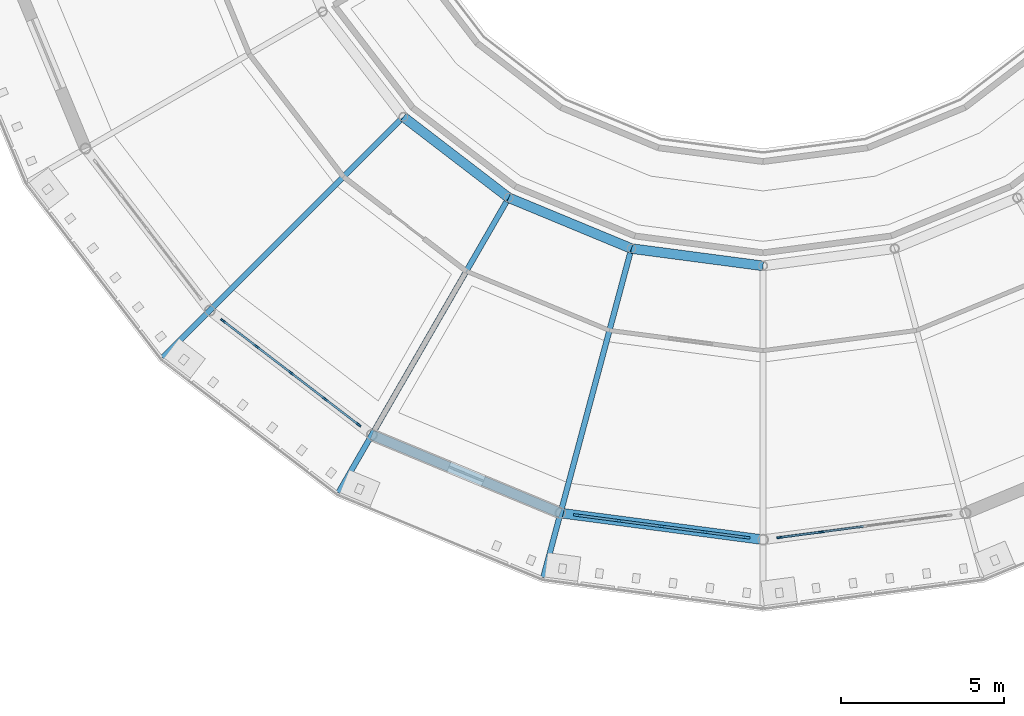
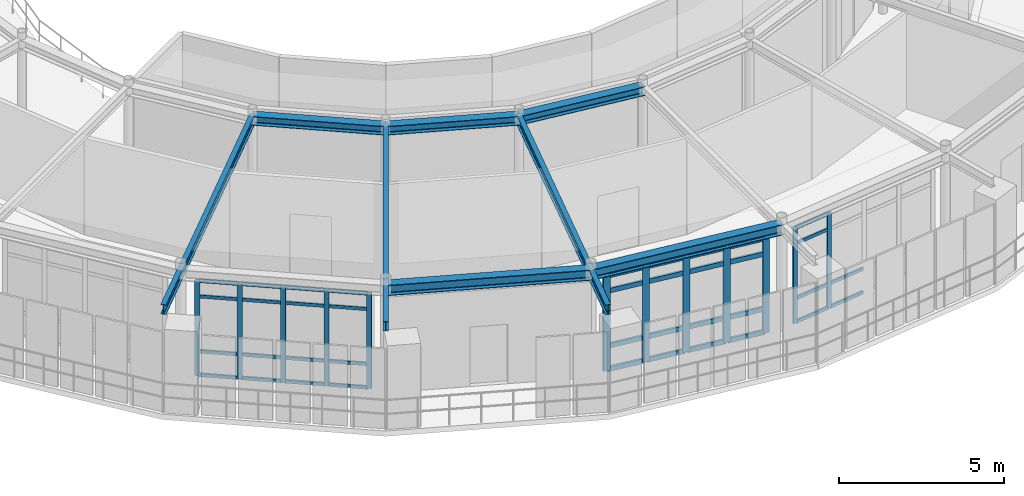
# One storey, part 33 of 90: 50 members, 8 beams, 3 elements without a shape of their own.
"""IFC4 building model written with IfcOpenShell, lengths in metres."""

from ifc_helpers import new_model, si_unit, derived_unit, direction, frame, origin, origin_2d, place, context, subcontext, project, spatial, rectangle, i_section, extrude, material, layer, layer_set, material_profile, profile_set, type_object, element, aggregate, save


model = new_model("IFC4")

# Units and contexts
model_context = context("Model", 3, precision=1e-05, world=origin(), true_north=direction((0.0, 1.0)))
body_context = subcontext(model_context, "Body", "Model", "MODEL_VIEW")
ifc_project = project(units=[si_unit("LENGTHUNIT", "METRE"), si_unit("AREAUNIT", "SQUARE_METRE"), si_unit("VOLUMEUNIT", "CUBIC_METRE"), si_unit("PLANEANGLEUNIT", "RADIAN"), si_unit("MASSUNIT", "GRAM", prefix="KILO"), derived_unit("THERMALTRANSMITTANCEUNIT", [(si_unit("POWERUNIT", "WATT"), 1), (si_unit("AREAUNIT", "SQUARE_METRE"), -1), (si_unit("THERMODYNAMICTEMPERATUREUNIT", "KELVIN"), -1)])], contexts=[model_context])

# Site, building, storey
site_placement = place(None, origin())
site = spatial("IfcSite", under=ifc_project, at=site_placement, CompositionType="ELEMENT")
building_placement = place(site_placement, origin())
building = spatial("IfcBuilding", under=site, at=building_placement, Name="Yasenodar Specialist Clinic", CompositionType="ELEMENT")
storey_placement = place(building_placement, frame((0.0, 0.0, 9.0)))
storey = spatial("IfcBuildingStorey", under=building, at=storey_placement, Name="L02", CompositionType="ELEMENT", Elevation=9.0)

# Beams
ifc_material_1 = material(Name="Steel S355", Category="steel")
ifc_material_profile_1 = material_profile(ifc_material_1, i_section(OverallWidth=0.300048828125, OverallDepth=0.330078125, WebThickness=0.009521484375, FlangeThickness=0.0166015625, FilletRadius=0.027099609375, at=origin_2d()), Name="HEA 340")
ifc_profile_set_1 = profile_set([ifc_material_profile_1], Name="Steel S355")
beam_type_1 = type_object("IfcBeamType", Name="BM-HEA340", PredefinedType="BEAM", material=ifc_profile_set_1)
for number, where, z_axis, x_axis, name in (
    (1, (69.968994140625, 47.76904296875, 3.784912109375), (0.793376657722, -0.608731039936, 0.0), (0.608731039936, 0.793376657722, 0.0), "L02 Drum V1 Inner Ring Beam"),
    (2, (73.199951171875, 45.2900390625, 3.784912109375), (0.92388896868, -0.382660650645, 0.0), (0.382660650645, 0.92388896868, 0.0), "L02 Drum V1 Inner Ring Beam"),
    (3, (76.96240234375, 43.731689453125, 3.784912109375), (0.991439189385, -0.130569268018, 0.0), (0.130569268018, 0.991439189385, 0.0), "L02 Drum V1 Inner Ring Beam"),
):
    element("IfcBeam", number, at=place(storey_placement, frame(where, z_axis=z_axis, x_axis=x_axis)), inside=storey, type_object=beam_type_1, Name=name, PredefinedType="BEAM", context=body_context, shape_type="SweptSolid", body=[
        extrude(i_section(OverallWidth=0.300048828125, OverallDepth=0.330078125, WebThickness=0.009521484375, FlangeThickness=0.0166015625, FilletRadius=0.027099609375, at=origin_2d()), origin(), (0.0, 0.0, 1.0), 4.072509765625),
    ])
ifc_material_profile_2 = material_profile(ifc_material_1, i_section(OverallWidth=0.300048828125, OverallDepth=0.389892578125, WebThickness=0.010986328125, FlangeThickness=0.01904296875, FilletRadius=0.027099609375, at=origin_2d()), Name="HEA 400")
ifc_profile_set_2 = profile_set([ifc_material_profile_2], Name="Steel S355")
beam_type_2 = type_object("IfcBeamType", Name="BM-HEA400", PredefinedType="BEAM", material=ifc_profile_set_2)
beam_1_placement = place(storey_placement, frame((69.0, 38.015380859375, 3.7548828125), z_axis=(0.9238876519, -0.382663829839, 0.0), x_axis=(0.382663829839, 0.9238876519, 0.0)))
element("IfcBeam", 4, at=beam_1_placement, inside=storey, type_object=beam_type_2, Name="L02 Drum V1 Perimeter Ring Beam", PredefinedType="BEAM", context=body_context, shape_type="SweptSolid", body=[
    extrude(i_section(OverallWidth=0.300048828125, OverallDepth=0.389892578125, WebThickness=0.010986328125, FlangeThickness=0.01904296875, FilletRadius=0.027099609375, at=origin_2d()), origin(), (0.0, 0.0, 1.0), 6.26513671875),
])
beam_2_placement = place(storey_placement, frame((74.788330078125, 35.617919921875, 3.7548828125), z_axis=(0.991443018138, -0.130540192224, 0.0), x_axis=(0.130540192224, 0.991443018138, 0.0)))
element("IfcBeam", 5, at=beam_2_placement, inside=storey, type_object=beam_type_2, Name="L02 Drum V1 Perimeter Ring Beam", PredefinedType="BEAM", context=body_context, shape_type="SweptSolid", body=[
    extrude(i_section(OverallWidth=0.300048828125, OverallDepth=0.389892578125, WebThickness=0.010986328125, FlangeThickness=0.01904296875, FilletRadius=0.027099609375, at=origin_2d()), origin(), (0.0, 0.0, 1.0), 6.265380859375),
])
ifc_material_profile_3 = material_profile(ifc_material_1, i_section(OverallWidth=0.169921875, OverallDepth=0.360107421875, WebThickness=0.008056640625, FlangeThickness=0.0126953125, FilletRadius=0.01806640625, at=origin_2d()), Name="IPE 360")
ifc_profile_set_3 = profile_set([ifc_material_profile_3], Name="Steel S355")
beam_type_3 = type_object("IfcBeamType", Name="BM-IPE360", PredefinedType="BEAM", material=ifc_profile_set_3)
for number, where, z_axis, x_axis, name in (
    (6, (69.968994140625, 47.76904296875, 3.77001953125), (-0.707106781187, -0.707106781187, 0.0), (0.707106781187, -0.707106781187, 0.0), "L02 Drum V1 Radial Back-Spanned Cantilever Beam"),
    (7, (73.199951171875, 45.2900390625, 3.77001953125), (-0.499986032603, -0.866033467715, 0.0), (0.866033467715, -0.499986032603, 0.0), "L02 Drum V1 Radial Back-Spanned Cantilever Beam"),
    (8, (76.96240234375, 43.731689453125, 3.77001953125), (-0.258811211874, -0.965927925162, 0.0), (0.965927925162, -0.258811211874, 0.0), "L02 Drum V1 Radial Back-Spanned Cantilever Beam"),
):
    element("IfcBeam", number, at=place(storey_placement, frame(where, z_axis=z_axis, x_axis=x_axis)), inside=storey, type_object=beam_type_3, Name=name, PredefinedType="BEAM", context=body_context, shape_type="SweptSolid", body=[
        extrude(i_section(OverallWidth=0.169921875, OverallDepth=0.360107421875, WebThickness=0.008056640625, FlangeThickness=0.0126953125, FilletRadius=0.01806640625, at=origin_2d()), origin(), (0.0, 0.0, 1.0), 10.449951171875),
    ])

# Curtain wall, members
ifc_material_2 = material(Name="Bronze Anodized Aluminium and Triple Low-E Glass", Category="aluminium")
ifc_layer = layer(ifc_material_2, 0.1669921875)
ifc_layer_set = layer_set([ifc_layer], Name="Bronze Anodized Aluminium and Triple Low-E Glass")
curtain_wall_type = type_object("IfcCurtainWallType", Name="CW-SYS-01", PredefinedType="USERDEFINED", material=ifc_layer_set)
curtain_wall_1_placement = place(storey_placement, origin())
curtain_wall_1 = element("IfcCurtainWall", 9, at=curtain_wall_1_placement, inside=storey, type_object=curtain_wall_type, Name="L02 Unitised Curtain Wall 034", ObjectType="UNITISED CURTAIN WALL", PredefinedType="USERDEFINED")
ifc_material_3 = material(Name="Bronze Anodized Aluminium", Category="aluminium")
ifc_material_profile_4 = material_profile(ifc_material_3, rectangle(XDim=0.06005859375, YDim=0.159912109375, at=origin_2d()), Name="CW-MULL 60x160")
ifc_profile_set_4 = profile_set([ifc_material_profile_4], Name="Bronze Anodized Aluminium")
member_type_1 = type_object("IfcMemberType", Name="CW-MULL-160", PredefinedType="MULLION", material=ifc_profile_set_4)
member_1_placement = place(storey_placement, frame((68.595458984375, 38.325927734375, 0.0), z_axis=(0.0, 0.0, 1.0), x_axis=(-0.608752021844, -0.793360558574, 0.0)))
member_1 = element("IfcMember", 10, at=member_1_placement, type_object=member_type_1, Name="CW-01 mullion 1", PredefinedType="MULLION", context=body_context, shape_type="SweptSolid", body=[
    extrude(rectangle(XDim=0.06005859375, YDim=0.159912109375, at=origin_2d()), origin(), (0.0, 0.0, 1.0), 3.5380859375),
])
member_2_placement = place(storey_placement, frame((67.56689453125, 39.114990234375, 0.0), z_axis=(0.0, 0.0, 1.0), x_axis=(-0.608752021844, -0.793360558574, 0.0)))
member_2 = element("IfcMember", 11, at=member_2_placement, type_object=member_type_1, Name="CW-01 mullion 2", PredefinedType="MULLION", context=body_context, shape_type="SweptSolid", body=[
    extrude(rectangle(XDim=0.06005859375, YDim=0.159912109375, at=origin_2d()), origin(), (0.0, 0.0, 1.0), 3.5380859375),
])
member_3_placement = place(storey_placement, frame((66.5146484375, 39.92236328125, 0.0), z_axis=(0.0, 0.0, 1.0), x_axis=(-0.608752021844, -0.793360558574, 0.0)))
member_3 = element("IfcMember", 12, at=member_3_placement, type_object=member_type_1, Name="CW-01 mullion 3", PredefinedType="MULLION", context=body_context, shape_type="SweptSolid", body=[
    extrude(rectangle(XDim=0.06005859375, YDim=0.159912109375, at=origin_2d()), origin(), (0.0, 0.0, 1.0), 3.5380859375),
])
member_4_placement = place(storey_placement, frame((65.46240234375, 40.729736328125, 0.0), z_axis=(0.0, 0.0, 1.0), x_axis=(-0.608752021844, -0.793360558574, 0.0)))
member_4 = element("IfcMember", 13, at=member_4_placement, type_object=member_type_1, Name="CW-01 mullion 4", PredefinedType="MULLION", context=body_context, shape_type="SweptSolid", body=[
    extrude(rectangle(XDim=0.06005859375, YDim=0.159912109375, at=origin_2d()), origin(), (0.0, 0.0, 1.0), 3.5380859375),
])
member_5_placement = place(storey_placement, frame((64.43408203125, 41.51904296875, 0.0), z_axis=(0.0, 0.0, 1.0), x_axis=(-0.608752021844, -0.793360558574, 0.0)))
member_5 = element("IfcMember", 14, at=member_5_placement, type_object=member_type_1, Name="CW-01 mullion 5", PredefinedType="MULLION", context=body_context, shape_type="SweptSolid", body=[
    extrude(rectangle(XDim=0.06005859375, YDim=0.159912109375, at=origin_2d()), origin(), (0.0, 0.0, 1.0), 3.5380859375),
])

curtain_wall_2_placement = place(storey_placement, origin())
curtain_wall_2 = element("IfcCurtainWall", 15, at=curtain_wall_2_placement, inside=storey, type_object=curtain_wall_type, Name="L02 Unitised Curtain Wall 036", ObjectType="UNITISED CURTAIN WALL", PredefinedType="USERDEFINED")
member_6_placement = place(storey_placement, frame((82.790771484375, 35.035888671875, 0.0), z_axis=(0.0, 0.0, 1.0), x_axis=(0.13051156024, -0.991446787601, 0.0)))
member_6 = element("IfcMember", 16, at=member_6_placement, type_object=member_type_1, Name="CW-01 mullion 4", PredefinedType="MULLION", context=body_context, shape_type="SweptSolid", body=[
    extrude(rectangle(XDim=0.06005859375, YDim=0.159912109375, at=origin_2d()), origin(), (0.0, 0.0, 1.0), 3.5380859375),
])
member_7_placement = place(storey_placement, frame((81.505615234375, 34.86669921875, 0.0), z_axis=(0.0, 0.0, 1.0), x_axis=(0.13051156024, -0.991446787601, 0.0)))
member_7 = element("IfcMember", 17, at=member_7_placement, type_object=member_type_1, Name="CW-01 mullion 5", PredefinedType="MULLION", context=body_context, shape_type="SweptSolid", body=[
    extrude(rectangle(XDim=0.06005859375, YDim=0.159912109375, at=origin_2d()), origin(), (0.0, 0.0, 1.0), 3.5380859375),
])

curtain_wall_3_placement = place(storey_placement, origin())
curtain_wall_3 = element("IfcCurtainWall", 18, at=curtain_wall_3_placement, inside=storey, type_object=curtain_wall_type, Name="L02 Unitised Curtain Wall 035", ObjectType="UNITISED CURTAIN WALL", PredefinedType="USERDEFINED")
ifc_material_profile_5 = material_profile(ifc_material_3, rectangle(XDim=0.074951171875, YDim=0.22509765625, at=origin_2d()), Name="CW-MULL 75x225")
ifc_profile_set_5 = profile_set([ifc_material_profile_5], Name="Bronze Anodized Aluminium")
member_type_2 = type_object("IfcMemberType", Name="CW-MULL-225", PredefinedType="MULLION", material=ifc_profile_set_5)
member_8_placement = place(storey_placement, frame((80.48681640625, 34.86767578125, 0.0), z_axis=(0.0, 0.0, 1.0), x_axis=(-0.13051156024, -0.991446787601, 0.0)))
member_8 = element("IfcMember", 19, at=member_8_placement, type_object=member_type_2, Name="CW-01 mullion 1", PredefinedType="MULLION", context=body_context, shape_type="SweptSolid", body=[
    extrude(rectangle(XDim=0.074951171875, YDim=0.22509765625, at=origin_2d()), origin(), (0.0, 0.0, 1.0), 3.5380859375),
])
member_9_placement = place(storey_placement, frame((79.209228515625, 35.035888671875, 0.0), z_axis=(0.0, 0.0, 1.0), x_axis=(-0.13051156024, -0.991446787601, 0.0)))
member_9 = element("IfcMember", 20, at=member_9_placement, type_object=member_type_2, Name="CW-01 mullion 2", PredefinedType="MULLION", context=body_context, shape_type="SweptSolid", body=[
    extrude(rectangle(XDim=0.074951171875, YDim=0.22509765625, at=origin_2d()), origin(), (0.0, 0.0, 1.0), 3.5380859375),
])
member_10_placement = place(storey_placement, frame((77.89404296875, 35.208984375, 0.0), z_axis=(0.0, 0.0, 1.0), x_axis=(-0.13051156024, -0.991446787601, 0.0)))
member_10 = element("IfcMember", 21, at=member_10_placement, type_object=member_type_2, Name="CW-01 mullion 3", PredefinedType="MULLION", context=body_context, shape_type="SweptSolid", body=[
    extrude(rectangle(XDim=0.074951171875, YDim=0.22509765625, at=origin_2d()), origin(), (0.0, 0.0, 1.0), 3.5380859375),
])
member_11_placement = place(storey_placement, frame((76.5791015625, 35.382080078125, 0.0), z_axis=(0.0, 0.0, 1.0), x_axis=(-0.13051156024, -0.991446787601, 0.0)))
member_11 = element("IfcMember", 22, at=member_11_placement, type_object=member_type_2, Name="CW-01 mullion 4", PredefinedType="MULLION", context=body_context, shape_type="SweptSolid", body=[
    extrude(rectangle(XDim=0.074951171875, YDim=0.22509765625, at=origin_2d()), origin(), (0.0, 0.0, 1.0), 3.5380859375),
])
member_12_placement = place(storey_placement, frame((75.30126953125, 35.55029296875, 0.0), z_axis=(0.0, 0.0, 1.0), x_axis=(-0.13051156024, -0.991446787601, 0.0)))
member_12 = element("IfcMember", 23, at=member_12_placement, type_object=member_type_2, Name="CW-01 mullion 5", PredefinedType="MULLION", context=body_context, shape_type="SweptSolid", body=[
    extrude(rectangle(XDim=0.074951171875, YDim=0.22509765625, at=origin_2d()), origin(), (0.0, 0.0, 1.0), 3.5380859375),
])

# Member
ifc_material_profile_6 = material_profile(ifc_material_3, rectangle(XDim=0.06005859375, YDim=0.1201171875, at=origin_2d()), Name="CW-TRAN 60x120")
ifc_profile_set_6 = profile_set([ifc_material_profile_6], Name="Bronze Anodized Aluminium")
member_type_3 = type_object("IfcMemberType", Name="CW-TRAN-120", PredefinedType="USERDEFINED", material=ifc_profile_set_6)
member_13_placement = place(storey_placement, frame((68.571533203125, 38.34423828125, 0.030029296875), z_axis=(-0.793386964626, 0.608717606417, 0.0), x_axis=(-0.608717606417, -0.793386964626, 0.0)))
member_13 = element("IfcMember", 24, at=member_13_placement, type_object=member_type_3, Name="CW-01 transom 1.1", ObjectType="TRANSOM", PredefinedType="USERDEFINED", context=body_context, shape_type="SweptSolid", body=[
    extrude(rectangle(XDim=0.06005859375, YDim=0.1201171875, at=origin_2d()), origin(), (0.0, 0.0, 1.0), 1.236083984375),
])

member_14_placement = place(storey_placement, frame((68.571533203125, 38.34423828125, 0.89990234375), z_axis=(-0.793386964626, 0.608717606417, 0.0), x_axis=(-0.608717606417, -0.793386964626, 0.0)))
member_14 = element("IfcMember", 25, at=member_14_placement, type_object=member_type_3, Name="CW-01 transom 1.2", ObjectType="TRANSOM", PredefinedType="USERDEFINED", context=body_context, shape_type="SweptSolid", body=[
    extrude(rectangle(XDim=0.06005859375, YDim=0.1201171875, at=origin_2d()), origin(), (0.0, 0.0, 1.0), 1.236083984375),
])

member_15_placement = place(storey_placement, frame((68.571533203125, 38.34423828125, 2.93798828125), z_axis=(-0.793386964626, 0.608717606417, 0.0), x_axis=(-0.608717606417, -0.793386964626, 0.0)))
member_15 = element("IfcMember", 26, at=member_15_placement, type_object=member_type_3, Name="CW-01 transom 1.3", ObjectType="TRANSOM", PredefinedType="USERDEFINED", context=body_context, shape_type="SweptSolid", body=[
    extrude(rectangle(XDim=0.06005859375, YDim=0.1201171875, at=origin_2d()), origin(), (0.0, 0.0, 1.0), 1.236083984375),
])

member_16_placement = place(storey_placement, frame((68.571533203125, 38.34423828125, 3.508056640625), z_axis=(-0.793386964626, 0.608717606417, 0.0), x_axis=(-0.608717606417, -0.793386964626, 0.0)))
member_16 = element("IfcMember", 27, at=member_16_placement, type_object=member_type_3, Name="CW-01 transom 1.4", ObjectType="TRANSOM", PredefinedType="USERDEFINED", context=body_context, shape_type="SweptSolid", body=[
    extrude(rectangle(XDim=0.06005859375, YDim=0.1201171875, at=origin_2d()), origin(), (0.0, 0.0, 1.0), 1.236083984375),
])

member_17_placement = place(storey_placement, frame((67.543212890625, 39.13330078125, 0.030029296875), z_axis=(-0.793404604701, 0.608694614104, 0.0), x_axis=(-0.608694614104, -0.793404604701, 0.0)))
member_17 = element("IfcMember", 28, at=member_17_placement, type_object=member_type_3, Name="CW-01 transom 2.1", ObjectType="TRANSOM", PredefinedType="USERDEFINED", context=body_context, shape_type="SweptSolid", body=[
    extrude(rectangle(XDim=0.06005859375, YDim=0.1201171875, at=origin_2d()), origin(), (0.0, 0.0, 1.0), 1.266357421875),
])

member_18_placement = place(storey_placement, frame((67.543212890625, 39.13330078125, 0.89990234375), z_axis=(-0.793404604701, 0.608694614104, 0.0), x_axis=(-0.608694614104, -0.793404604701, 0.0)))
member_18 = element("IfcMember", 29, at=member_18_placement, type_object=member_type_3, Name="CW-01 transom 2.2", ObjectType="TRANSOM", PredefinedType="USERDEFINED", context=body_context, shape_type="SweptSolid", body=[
    extrude(rectangle(XDim=0.06005859375, YDim=0.1201171875, at=origin_2d()), origin(), (0.0, 0.0, 1.0), 1.266357421875),
])

member_19_placement = place(storey_placement, frame((67.543212890625, 39.13330078125, 2.93798828125), z_axis=(-0.793404604701, 0.608694614104, 0.0), x_axis=(-0.608694614104, -0.793404604701, 0.0)))
member_19 = element("IfcMember", 30, at=member_19_placement, type_object=member_type_3, Name="CW-01 transom 2.3", ObjectType="TRANSOM", PredefinedType="USERDEFINED", context=body_context, shape_type="SweptSolid", body=[
    extrude(rectangle(XDim=0.06005859375, YDim=0.1201171875, at=origin_2d()), origin(), (0.0, 0.0, 1.0), 1.266357421875),
])

member_20_placement = place(storey_placement, frame((67.543212890625, 39.13330078125, 3.508056640625), z_axis=(-0.793404604701, 0.608694614104, 0.0), x_axis=(-0.608694614104, -0.793404604701, 0.0)))
member_20 = element("IfcMember", 31, at=member_20_placement, type_object=member_type_3, Name="CW-01 transom 2.4", ObjectType="TRANSOM", PredefinedType="USERDEFINED", context=body_context, shape_type="SweptSolid", body=[
    extrude(rectangle(XDim=0.06005859375, YDim=0.1201171875, at=origin_2d()), origin(), (0.0, 0.0, 1.0), 1.266357421875),
])

member_21_placement = place(storey_placement, frame((66.490966796875, 39.940673828125, 0.030029296875), z_axis=(-0.793404604701, 0.608694614104, 0.0), x_axis=(-0.608694614104, -0.793404604701, 0.0)))
member_21 = element("IfcMember", 32, at=member_21_placement, type_object=member_type_3, Name="CW-01 transom 3.1", ObjectType="TRANSOM", PredefinedType="USERDEFINED", context=body_context, shape_type="SweptSolid", body=[
    extrude(rectangle(XDim=0.06005859375, YDim=0.1201171875, at=origin_2d()), origin(), (0.0, 0.0, 1.0), 1.266357421875),
])

member_22_placement = place(storey_placement, frame((66.490966796875, 39.940673828125, 0.89990234375), z_axis=(-0.793404604701, 0.608694614104, 0.0), x_axis=(-0.608694614104, -0.793404604701, 0.0)))
member_22 = element("IfcMember", 33, at=member_22_placement, type_object=member_type_3, Name="CW-01 transom 3.2", ObjectType="TRANSOM", PredefinedType="USERDEFINED", context=body_context, shape_type="SweptSolid", body=[
    extrude(rectangle(XDim=0.06005859375, YDim=0.1201171875, at=origin_2d()), origin(), (0.0, 0.0, 1.0), 1.266357421875),
])

member_23_placement = place(storey_placement, frame((66.490966796875, 39.940673828125, 2.93798828125), z_axis=(-0.793404604701, 0.608694614104, 0.0), x_axis=(-0.608694614104, -0.793404604701, 0.0)))
member_23 = element("IfcMember", 34, at=member_23_placement, type_object=member_type_3, Name="CW-01 transom 3.3", ObjectType="TRANSOM", PredefinedType="USERDEFINED", context=body_context, shape_type="SweptSolid", body=[
    extrude(rectangle(XDim=0.06005859375, YDim=0.1201171875, at=origin_2d()), origin(), (0.0, 0.0, 1.0), 1.266357421875),
])

member_24_placement = place(storey_placement, frame((66.490966796875, 39.940673828125, 3.508056640625), z_axis=(-0.793404604701, 0.608694614104, 0.0), x_axis=(-0.608694614104, -0.793404604701, 0.0)))
member_24 = element("IfcMember", 35, at=member_24_placement, type_object=member_type_3, Name="CW-01 transom 3.4", ObjectType="TRANSOM", PredefinedType="USERDEFINED", context=body_context, shape_type="SweptSolid", body=[
    extrude(rectangle(XDim=0.06005859375, YDim=0.1201171875, at=origin_2d()), origin(), (0.0, 0.0, 1.0), 1.266357421875),
])

member_25_placement = place(storey_placement, frame((65.438720703125, 40.748046875, 0.030029296875), z_axis=(-0.793364768151, 0.608746535642, 0.0), x_axis=(-0.608746535642, -0.793364768151, 0.0)))
member_25 = element("IfcMember", 36, at=member_25_placement, type_object=member_type_3, Name="CW-01 transom 4.1", ObjectType="TRANSOM", PredefinedType="USERDEFINED", context=body_context, shape_type="SweptSolid", body=[
    extrude(rectangle(XDim=0.06005859375, YDim=0.1201171875, at=origin_2d()), origin(), (0.0, 0.0, 1.0), 1.236572265625),
])

member_26_placement = place(storey_placement, frame((65.438720703125, 40.748046875, 0.89990234375), z_axis=(-0.793364768151, 0.608746535642, 0.0), x_axis=(-0.608746535642, -0.793364768151, 0.0)))
member_26 = element("IfcMember", 37, at=member_26_placement, type_object=member_type_3, Name="CW-01 transom 4.2", ObjectType="TRANSOM", PredefinedType="USERDEFINED", context=body_context, shape_type="SweptSolid", body=[
    extrude(rectangle(XDim=0.06005859375, YDim=0.1201171875, at=origin_2d()), origin(), (0.0, 0.0, 1.0), 1.236572265625),
])

member_27_placement = place(storey_placement, frame((65.438720703125, 40.748046875, 2.93798828125), z_axis=(-0.793364768151, 0.608746535642, 0.0), x_axis=(-0.608746535642, -0.793364768151, 0.0)))
member_27 = element("IfcMember", 38, at=member_27_placement, type_object=member_type_3, Name="CW-01 transom 4.3", ObjectType="TRANSOM", PredefinedType="USERDEFINED", context=body_context, shape_type="SweptSolid", body=[
    extrude(rectangle(XDim=0.06005859375, YDim=0.1201171875, at=origin_2d()), origin(), (0.0, 0.0, 1.0), 1.236572265625),
])

member_28_placement = place(storey_placement, frame((65.438720703125, 40.748046875, 3.508056640625), z_axis=(-0.793364768151, 0.608746535642, 0.0), x_axis=(-0.608746535642, -0.793364768151, 0.0)))
member_28 = element("IfcMember", 39, at=member_28_placement, type_object=member_type_3, Name="CW-01 transom 4.4", ObjectType="TRANSOM", PredefinedType="USERDEFINED", context=body_context, shape_type="SweptSolid", body=[
    extrude(rectangle(XDim=0.06005859375, YDim=0.1201171875, at=origin_2d()), origin(), (0.0, 0.0, 1.0), 1.236572265625),
])

aggregate(curtain_wall_1, [member_1, member_2, member_3, member_4, member_5, member_13, member_14, member_15, member_16, member_17, member_18, member_19, member_20, member_21, member_22, member_23, member_24, member_25, member_26, member_27, member_28])

member_29_placement = place(storey_placement, frame((84.076171875, 35.205078125, 0.030029296875), z_axis=(-0.991447076407, -0.13050936627, 0.0), x_axis=(0.13050936627, -0.991447076407, 0.0)))
member_29 = element("IfcMember", 40, at=member_29_placement, type_object=member_type_3, Name="CW-01 transom 3.1", ObjectType="TRANSOM", PredefinedType="USERDEFINED", context=body_context, shape_type="SweptSolid", body=[
    extrude(rectangle(XDim=0.06005859375, YDim=0.1201171875, at=origin_2d()), origin(), (0.0, 0.0, 1.0), 1.266357421875),
])

member_30_placement = place(storey_placement, frame((84.076171875, 35.205078125, 0.89990234375), z_axis=(-0.991447076407, -0.13050936627, 0.0), x_axis=(0.13050936627, -0.991447076407, 0.0)))
member_30 = element("IfcMember", 41, at=member_30_placement, type_object=member_type_3, Name="CW-01 transom 3.2", ObjectType="TRANSOM", PredefinedType="USERDEFINED", context=body_context, shape_type="SweptSolid", body=[
    extrude(rectangle(XDim=0.06005859375, YDim=0.1201171875, at=origin_2d()), origin(), (0.0, 0.0, 1.0), 1.266357421875),
])

member_31_placement = place(storey_placement, frame((82.76123046875, 35.031982421875, 0.030029296875), z_axis=(-0.99144555616, -0.130520914683, 0.0), x_axis=(0.130520914683, -0.99144555616, 0.0)))
member_31 = element("IfcMember", 42, at=member_31_placement, type_object=member_type_3, Name="CW-01 transom 4.1", ObjectType="TRANSOM", PredefinedType="USERDEFINED", context=body_context, shape_type="SweptSolid", body=[
    extrude(rectangle(XDim=0.06005859375, YDim=0.1201171875, at=origin_2d()), origin(), (0.0, 0.0, 1.0), 1.236328125),
])

member_32_placement = place(storey_placement, frame((82.76123046875, 35.031982421875, 0.89990234375), z_axis=(-0.99144555616, -0.130520914683, 0.0), x_axis=(0.130520914683, -0.99144555616, 0.0)))
member_32 = element("IfcMember", 43, at=member_32_placement, type_object=member_type_3, Name="CW-01 transom 4.2", ObjectType="TRANSOM", PredefinedType="USERDEFINED", context=body_context, shape_type="SweptSolid", body=[
    extrude(rectangle(XDim=0.06005859375, YDim=0.1201171875, at=origin_2d()), origin(), (0.0, 0.0, 1.0), 1.236328125),
])

member_33_placement = place(storey_placement, frame((82.76123046875, 35.031982421875, 2.93798828125), z_axis=(-0.99144555616, -0.130520914683, 0.0), x_axis=(0.130520914683, -0.99144555616, 0.0)))
member_33 = element("IfcMember", 44, at=member_33_placement, type_object=member_type_3, Name="CW-01 transom 4.3", ObjectType="TRANSOM", PredefinedType="USERDEFINED", context=body_context, shape_type="SweptSolid", body=[
    extrude(rectangle(XDim=0.06005859375, YDim=0.1201171875, at=origin_2d()), origin(), (0.0, 0.0, 1.0), 1.236328125),
])

member_34_placement = place(storey_placement, frame((82.76123046875, 35.031982421875, 3.508056640625), z_axis=(-0.99144555616, -0.130520914683, 0.0), x_axis=(0.130520914683, -0.99144555616, 0.0)))
member_34 = element("IfcMember", 45, at=member_34_placement, type_object=member_type_3, Name="CW-01 transom 4.4", ObjectType="TRANSOM", PredefinedType="USERDEFINED", context=body_context, shape_type="SweptSolid", body=[
    extrude(rectangle(XDim=0.06005859375, YDim=0.1201171875, at=origin_2d()), origin(), (0.0, 0.0, 1.0), 1.236328125),
])

aggregate(curtain_wall_2, [member_6, member_7, member_29, member_30, member_31, member_32, member_33, member_34])

ifc_material_profile_7 = material_profile(ifc_material_3, rectangle(XDim=0.074951171875, YDim=0.175048828125, at=origin_2d()), Name="CW-TRAN 75x175")
ifc_profile_set_7 = profile_set([ifc_material_profile_7], Name="Bronze Anodized Aluminium")
member_type_4 = type_object("IfcMemberType", Name="CW-TRAN-175", PredefinedType="USERDEFINED", material=ifc_profile_set_7)
member_35_placement = place(storey_placement, frame((80.44970703125, 34.87255859375, 0.03759765625), z_axis=(-0.991442652858, 0.130542966465, 0.0), x_axis=(-0.130542966465, -0.991442652858, 0.0)))
member_35 = element("IfcMember", 46, at=member_35_placement, type_object=member_type_4, Name="CW-01 transom 1.1", ObjectType="TRANSOM", PredefinedType="USERDEFINED", context=body_context, shape_type="SweptSolid", body=[
    extrude(rectangle(XDim=0.074951171875, YDim=0.175048828125, at=origin_2d()), origin(), (0.0, 0.0, 1.0), 1.2138671875),
])

member_36_placement = place(storey_placement, frame((80.44970703125, 34.87255859375, 0.89990234375), z_axis=(-0.991442652858, 0.130542966465, 0.0), x_axis=(-0.130542966465, -0.991442652858, 0.0)))
member_36 = element("IfcMember", 47, at=member_36_placement, type_object=member_type_4, Name="CW-01 transom 1.2", ObjectType="TRANSOM", PredefinedType="USERDEFINED", context=body_context, shape_type="SweptSolid", body=[
    extrude(rectangle(XDim=0.074951171875, YDim=0.175048828125, at=origin_2d()), origin(), (0.0, 0.0, 1.0), 1.2138671875),
])

member_37_placement = place(storey_placement, frame((80.44970703125, 34.87255859375, 2.93798828125), z_axis=(-0.991442652858, 0.130542966465, 0.0), x_axis=(-0.130542966465, -0.991442652858, 0.0)))
member_37 = element("IfcMember", 48, at=member_37_placement, type_object=member_type_4, Name="CW-01 transom 1.3", ObjectType="TRANSOM", PredefinedType="USERDEFINED", context=body_context, shape_type="SweptSolid", body=[
    extrude(rectangle(XDim=0.074951171875, YDim=0.175048828125, at=origin_2d()), origin(), (0.0, 0.0, 1.0), 1.2138671875),
])

member_38_placement = place(storey_placement, frame((80.44970703125, 34.87255859375, 3.50048828125), z_axis=(-0.991442652858, 0.130542966465, 0.0), x_axis=(-0.130542966465, -0.991442652858, 0.0)))
member_38 = element("IfcMember", 49, at=member_38_placement, type_object=member_type_4, Name="CW-01 transom 1.4", ObjectType="TRANSOM", PredefinedType="USERDEFINED", context=body_context, shape_type="SweptSolid", body=[
    extrude(rectangle(XDim=0.074951171875, YDim=0.175048828125, at=origin_2d()), origin(), (0.0, 0.0, 1.0), 1.2138671875),
])

member_39_placement = place(storey_placement, frame((79.171875, 35.040771484375, 0.03759765625), z_axis=(-0.991443001264, 0.130540320379, 0.0), x_axis=(-0.130540320379, -0.991443001264, 0.0)))
member_39 = element("IfcMember", 50, at=member_39_placement, type_object=member_type_4, Name="CW-01 transom 2.1", ObjectType="TRANSOM", PredefinedType="USERDEFINED", context=body_context, shape_type="SweptSolid", body=[
    extrude(rectangle(XDim=0.074951171875, YDim=0.175048828125, at=origin_2d()), origin(), (0.0, 0.0, 1.0), 1.251220703125),
])

member_40_placement = place(storey_placement, frame((79.171875, 35.040771484375, 0.89990234375), z_axis=(-0.991443001264, 0.130540320379, 0.0), x_axis=(-0.130540320379, -0.991443001264, 0.0)))
member_40 = element("IfcMember", 51, at=member_40_placement, type_object=member_type_4, Name="CW-01 transom 2.2", ObjectType="TRANSOM", PredefinedType="USERDEFINED", context=body_context, shape_type="SweptSolid", body=[
    extrude(rectangle(XDim=0.074951171875, YDim=0.175048828125, at=origin_2d()), origin(), (0.0, 0.0, 1.0), 1.251220703125),
])

member_41_placement = place(storey_placement, frame((79.171875, 35.040771484375, 2.93798828125), z_axis=(-0.991443001264, 0.130540320379, 0.0), x_axis=(-0.130540320379, -0.991443001264, 0.0)))
member_41 = element("IfcMember", 52, at=member_41_placement, type_object=member_type_4, Name="CW-01 transom 2.3", ObjectType="TRANSOM", PredefinedType="USERDEFINED", context=body_context, shape_type="SweptSolid", body=[
    extrude(rectangle(XDim=0.074951171875, YDim=0.175048828125, at=origin_2d()), origin(), (0.0, 0.0, 1.0), 1.251220703125),
])

member_42_placement = place(storey_placement, frame((79.171875, 35.040771484375, 3.50048828125), z_axis=(-0.991443001264, 0.130540320379, 0.0), x_axis=(-0.130540320379, -0.991443001264, 0.0)))
member_42 = element("IfcMember", 53, at=member_42_placement, type_object=member_type_4, Name="CW-01 transom 2.4", ObjectType="TRANSOM", PredefinedType="USERDEFINED", context=body_context, shape_type="SweptSolid", body=[
    extrude(rectangle(XDim=0.074951171875, YDim=0.175048828125, at=origin_2d()), origin(), (0.0, 0.0, 1.0), 1.251220703125),
])

member_43_placement = place(storey_placement, frame((77.85693359375, 35.2138671875, 0.03759765625), z_axis=(-0.991443001264, 0.130540320379, 0.0), x_axis=(-0.130540320379, -0.991443001264, 0.0)))
member_43 = element("IfcMember", 54, at=member_43_placement, type_object=member_type_4, Name="CW-01 transom 3.1", ObjectType="TRANSOM", PredefinedType="USERDEFINED", context=body_context, shape_type="SweptSolid", body=[
    extrude(rectangle(XDim=0.074951171875, YDim=0.175048828125, at=origin_2d()), origin(), (0.0, 0.0, 1.0), 1.251220703125),
])

member_44_placement = place(storey_placement, frame((77.85693359375, 35.2138671875, 0.89990234375), z_axis=(-0.991443001264, 0.130540320379, 0.0), x_axis=(-0.130540320379, -0.991443001264, 0.0)))
member_44 = element("IfcMember", 55, at=member_44_placement, type_object=member_type_4, Name="CW-01 transom 3.2", ObjectType="TRANSOM", PredefinedType="USERDEFINED", context=body_context, shape_type="SweptSolid", body=[
    extrude(rectangle(XDim=0.074951171875, YDim=0.175048828125, at=origin_2d()), origin(), (0.0, 0.0, 1.0), 1.251220703125),
])

member_45_placement = place(storey_placement, frame((77.85693359375, 35.2138671875, 2.93798828125), z_axis=(-0.991443001264, 0.130540320379, 0.0), x_axis=(-0.130540320379, -0.991443001264, 0.0)))
member_45 = element("IfcMember", 56, at=member_45_placement, type_object=member_type_4, Name="CW-01 transom 3.3", ObjectType="TRANSOM", PredefinedType="USERDEFINED", context=body_context, shape_type="SweptSolid", body=[
    extrude(rectangle(XDim=0.074951171875, YDim=0.175048828125, at=origin_2d()), origin(), (0.0, 0.0, 1.0), 1.251220703125),
])

member_46_placement = place(storey_placement, frame((77.85693359375, 35.2138671875, 3.50048828125), z_axis=(-0.991443001264, 0.130540320379, 0.0), x_axis=(-0.130540320379, -0.991443001264, 0.0)))
member_46 = element("IfcMember", 57, at=member_46_placement, type_object=member_type_4, Name="CW-01 transom 3.4", ObjectType="TRANSOM", PredefinedType="USERDEFINED", context=body_context, shape_type="SweptSolid", body=[
    extrude(rectangle(XDim=0.074951171875, YDim=0.175048828125, at=origin_2d()), origin(), (0.0, 0.0, 1.0), 1.251220703125),
])

member_47_placement = place(storey_placement, frame((76.5419921875, 35.386962890625, 0.03759765625), z_axis=(-0.991442652858, 0.130542966465, 0.0), x_axis=(-0.130542966465, -0.991442652858, 0.0)))
member_47 = element("IfcMember", 58, at=member_47_placement, type_object=member_type_4, Name="CW-01 transom 4.1", ObjectType="TRANSOM", PredefinedType="USERDEFINED", context=body_context, shape_type="SweptSolid", body=[
    extrude(rectangle(XDim=0.074951171875, YDim=0.175048828125, at=origin_2d()), origin(), (0.0, 0.0, 1.0), 1.2138671875),
])

member_48_placement = place(storey_placement, frame((76.5419921875, 35.386962890625, 0.89990234375), z_axis=(-0.991442652858, 0.130542966465, 0.0), x_axis=(-0.130542966465, -0.991442652858, 0.0)))
member_48 = element("IfcMember", 59, at=member_48_placement, type_object=member_type_4, Name="CW-01 transom 4.2", ObjectType="TRANSOM", PredefinedType="USERDEFINED", context=body_context, shape_type="SweptSolid", body=[
    extrude(rectangle(XDim=0.074951171875, YDim=0.175048828125, at=origin_2d()), origin(), (0.0, 0.0, 1.0), 1.2138671875),
])

member_49_placement = place(storey_placement, frame((76.5419921875, 35.386962890625, 2.93798828125), z_axis=(-0.991442652858, 0.130542966465, 0.0), x_axis=(-0.130542966465, -0.991442652858, 0.0)))
member_49 = element("IfcMember", 60, at=member_49_placement, type_object=member_type_4, Name="CW-01 transom 4.3", ObjectType="TRANSOM", PredefinedType="USERDEFINED", context=body_context, shape_type="SweptSolid", body=[
    extrude(rectangle(XDim=0.074951171875, YDim=0.175048828125, at=origin_2d()), origin(), (0.0, 0.0, 1.0), 1.2138671875),
])

member_50_placement = place(storey_placement, frame((76.5419921875, 35.386962890625, 3.50048828125), z_axis=(-0.991442652858, 0.130542966465, 0.0), x_axis=(-0.130542966465, -0.991442652858, 0.0)))
member_50 = element("IfcMember", 61, at=member_50_placement, type_object=member_type_4, Name="CW-01 transom 4.4", ObjectType="TRANSOM", PredefinedType="USERDEFINED", context=body_context, shape_type="SweptSolid", body=[
    extrude(rectangle(XDim=0.074951171875, YDim=0.175048828125, at=origin_2d()), origin(), (0.0, 0.0, 1.0), 1.2138671875),
])

aggregate(curtain_wall_3, [member_8, member_9, member_10, member_11, member_12, member_35, member_36, member_37, member_38, member_39, member_40, member_41, member_42, member_43, member_44, member_45, member_46, member_47, member_48, member_49, member_50])

save(model, "model.ifc")
